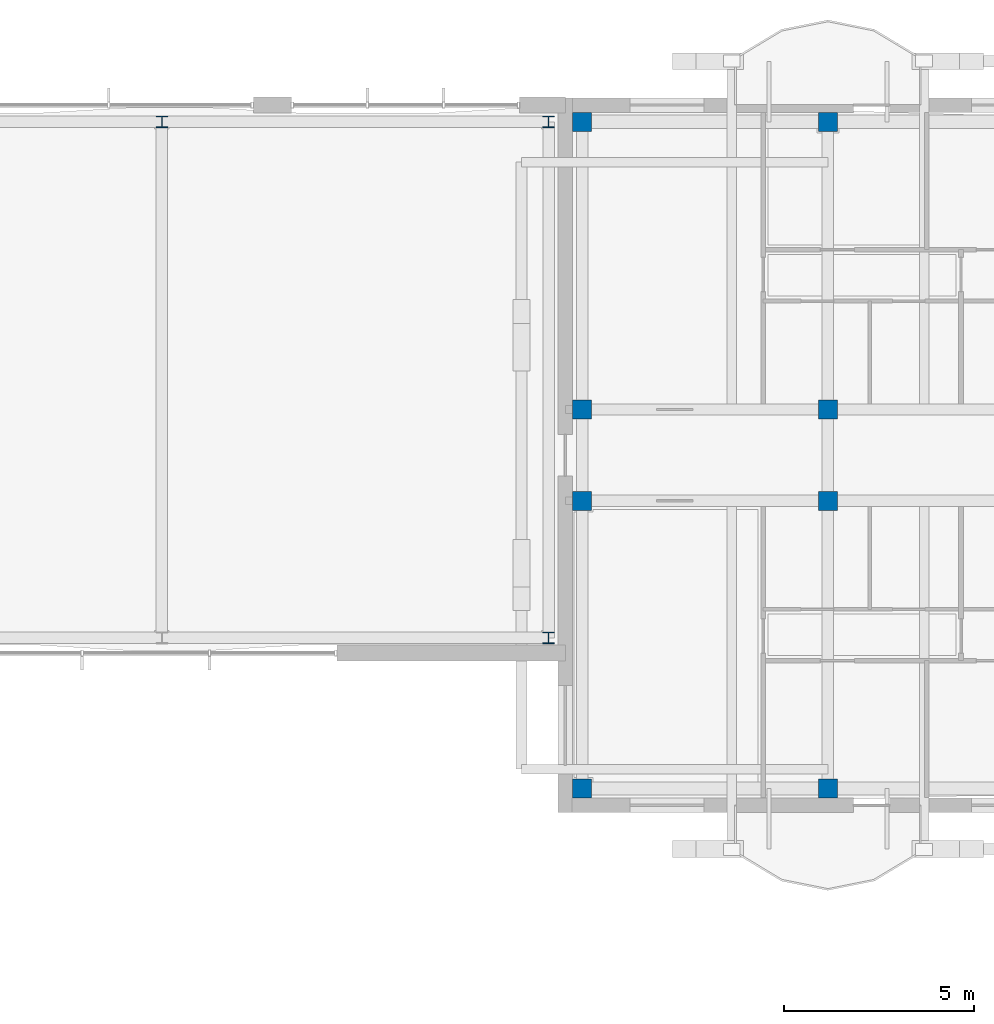
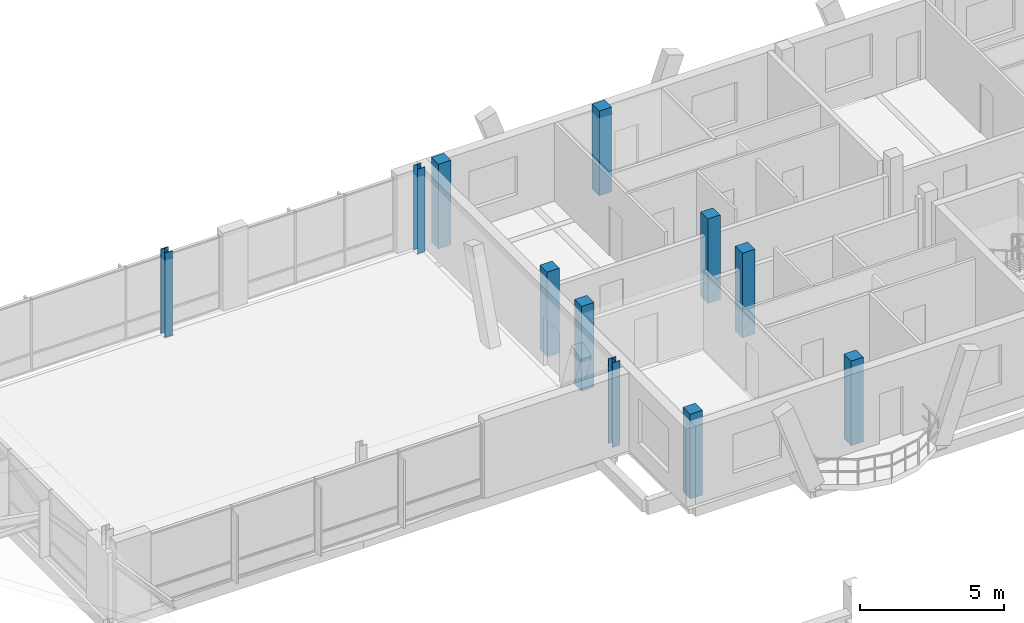
# One storey, part 10 of 189: 11 columns.
"""IFC4 building model written with IfcOpenShell, lengths in metres."""

from ifc_helpers import new_model, si_unit, direction, frame, origin, origin_2d, place, context, subcontext, project, spatial, rectangle, i_section, extrude, material, material_profile, profile_set, type_object, element, save


model = new_model("IFC4")

# Units and contexts
model_context = context("Model", 3, precision=1e-05, world=origin(), true_north=direction((0.0, 1.0)))
body_context = subcontext(model_context, "Body", "Model", "MODEL_VIEW")
ifc_project = project(units=[si_unit("LENGTHUNIT", "METRE"), si_unit("AREAUNIT", "SQUARE_METRE"), si_unit("VOLUMEUNIT", "CUBIC_METRE"), si_unit("PLANEANGLEUNIT", "RADIAN"), si_unit("MASSUNIT", "GRAM", prefix="KILO")], contexts=[model_context])

# Site, building, storey
site_placement = place(None, origin())
site = spatial("IfcSite", under=ifc_project, at=site_placement, CompositionType="ELEMENT")
building_placement = place(site_placement, origin())
building = spatial("IfcBuilding", under=site, at=building_placement, Name="Zavelmont Quarter", CompositionType="ELEMENT")
storey_placement = place(building_placement, frame((0.0, 0.0, 4.39990234375)))
storey = spatial("IfcBuildingStorey", under=building, at=storey_placement, Name="L01", CompositionType="ELEMENT", Elevation=4.39990234375)

# Columns
ifc_material_1 = material(Name="Concrete C40/50", Category="concrete")
ifc_material_profile_1 = material_profile(ifc_material_1, rectangle(XDim=0.5, YDim=0.5, at=origin_2d()), Name="RC500X500")
ifc_profile_set_1 = profile_set([ifc_material_profile_1], Name="Concrete C40/50")
column_type_1 = type_object("IfcColumnType", Name="CL03", PredefinedType="COLUMN", material=ifc_profile_set_1)
for number, where, z_axis, x_axis, name in (
    (1, (113.239990234375, 98.0400390625, 0.0), (0.0, 0.0, 1.0), (1.0, 0.0, 0.0), "L01 column CL03 at 17/P"),
    (2, (113.239990234375, 105.60009765625, 0.0), (0.0, 0.0, 1.0), (1.0, 0.0, 0.0), "L01 column CL03 at 17/Q"),
    (3, (113.239990234375, 108.0, 0.0), (0.0, 0.0, 1.0), (1.0, 0.0, 0.0), "L01 column CL03 at 17/R"),
    (4, (113.239990234375, 115.56005859375, 0.0), (0.0, 0.0, 1.0), (1.0, 0.0, 0.0), "L01 column CL03 at 17/S"),
    (5, (119.699951171875, 98.0400390625, 0.0), (0.0, 0.0, 1.0), (1.0, 0.0, 0.0), "L01 column CL03 at 18/P"),
    (6, (119.699951171875, 105.60009765625, 0.0), (0.0, 0.0, 1.0), (1.0, 0.0, 0.0), "L01 column CL03 at 18/Q"),
    (7, (119.699951171875, 108.0, 0.0), (0.0, 0.0, 1.0), (1.0, 0.0, 0.0), "L01 column CL03 at 18/R"),
    (8, (119.699951171875, 115.56005859375, 0.0), (0.0, 0.0, 1.0), (1.0, 0.0, 0.0), "L01 column CL03 at 18/S"),
):
    element("IfcColumn", number, at=place(storey_placement, frame(where, z_axis=z_axis, x_axis=x_axis)), inside=storey, type_object=column_type_1, Name=name, PredefinedType="COLUMN", context=body_context, shape_type="SweptSolid", body=[
        extrude(rectangle(XDim=0.5, YDim=0.5, at=origin_2d()), origin(), (0.0, 0.0, 1.0), 3.60009765625),
    ])
ifc_material_2 = material(Name="Steel S355", Category="steel")
ifc_material_profile_2 = material_profile(ifc_material_2, i_section(OverallWidth=0.300048828125, OverallDepth=0.300048828125, WebThickness=0.010986328125, FlangeThickness=0.01904296875, at=origin_2d()), Name="HEB 300")
ifc_profile_set_2 = profile_set([ifc_material_profile_2], Name="Steel S355")
column_type_2 = type_object("IfcColumnType", Name="CL10", PredefinedType="COLUMN", material=ifc_profile_set_2)
for number, where, z_axis, x_axis, name in (
    (9, (102.199951171875, 115.56005859375, 0.0), (0.0, 0.0, 1.0), (1.0, 0.0, 0.0), "L01 column CL10 at 16/S"),
    (10, (112.360107421875, 102.0, 0.0), (0.0, 0.0, 1.0), (1.0, 0.0, 0.0), "L01 column CL10 at 17/Q"),
    (11, (112.360107421875, 115.56005859375, 0.0), (0.0, 0.0, 1.0), (1.0, 0.0, 0.0), "L01 column CL10 at 17/S"),
):
    element("IfcColumn", number, at=place(storey_placement, frame(where, z_axis=z_axis, x_axis=x_axis)), inside=storey, type_object=column_type_2, Name=name, PredefinedType="COLUMN", context=body_context, shape_type="SweptSolid", body=[
        extrude(i_section(OverallWidth=0.300048828125, OverallDepth=0.300048828125, WebThickness=0.010986328125, FlangeThickness=0.01904296875, at=origin_2d()), origin(), (0.0, 0.0, 1.0), 3.60009765625),
    ])

save(model, "model.ifc")
